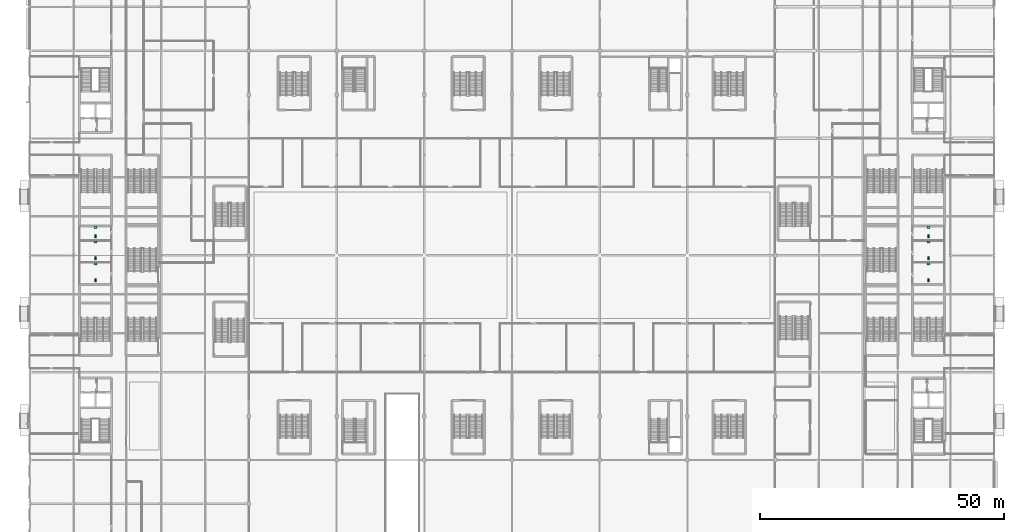
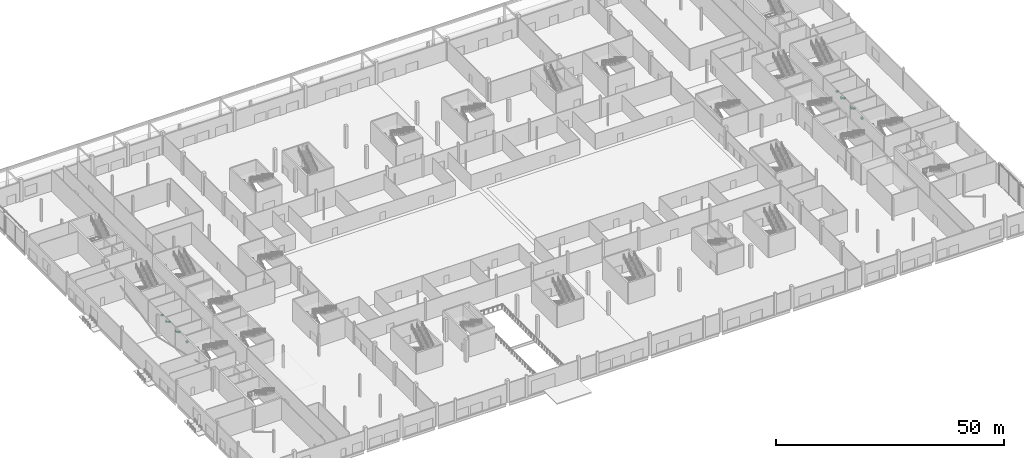
# One storey, part 84 of 84: 12 sanitary terminals.
"""IFC4 building model written with IfcOpenShell, lengths in metres."""

import ifcopenshell
import ifcopenshell.guid

model = None  # the IFC model being written
_history = None  # IfcOwnerHistory: only IFC2X3 demands one
_inside = {}  # id of a spatial element -> (the spatial element, [elements in it])
_under = {}  # id of a project, library or spatial element -> (it, [spatial elements below it])
_declared = {}  # id of a project -> (the project, [libraries it declares])
_typed = {}  # id of a type object -> (the type object, [elements of that type])
_made_of = {}  # id of a material, layer set ... -> (it, [elements and type objects made of it])


def new_model(schema):
    """Start an empty IFC model of exactly this schema.

    Asked for "IFC4X3", IfcOpenShell would pick the latest addendum, in which some entities
    have other attributes; the version numbers below select the first issue.
    IFC2X3 requires an IfcOwnerHistory on every rooted entity: one is made here for all.
    """
    global model, _history
    if schema == "IFC4X3":
        model = ifcopenshell.file(schema_version=(4, 3, 0, 0))
    else:
        model = ifcopenshell.file(schema=schema)
    _inside.clear()
    _under.clear()
    _declared.clear()
    _typed.clear()
    _made_of.clear()
    _history = None
    if model.schema == "IFC2X3":
        org = make("IfcOrganization", Name="unknown")
        user = make(
            "IfcPersonAndOrganization",
            ThePerson=make("IfcPerson", FamilyName="unknown"),
            TheOrganization=org,
        )
        app = make(
            "IfcApplication",
            ApplicationDeveloper=org,
            Version="unknown",
            ApplicationFullName="unknown",
            ApplicationIdentifier="unknown",
        )
        _history = make(
            "IfcOwnerHistory",
            OwningUser=user,
            OwningApplication=app,
            ChangeAction="ADDED",
            CreationDate=0,
        )
    return model


def make(cls, **values):
    """One entity of the class cls with the attributes given. An attribute that is None is left unset."""
    return model.create_entity(
        cls, **{name: value for name, value in values.items() if value is not None}
    )


def rooted(cls, **values):
    """An entity with a GlobalId (a new one), such as an element, a storey or a relation."""
    return make(cls, GlobalId=ifcopenshell.guid.new(), OwnerHistory=_history, **values)


def si_unit(unit_type, name, prefix=None):
    """IfcSIUnit, for example si_unit("LENGTHUNIT", "METRE", prefix="MILLI")."""
    return make("IfcSIUnit", UnitType=unit_type, Prefix=prefix, Name=name)


def assignment(units):
    """IfcUnitAssignment: the units of a project."""
    return None if units is None else make("IfcUnitAssignment", Units=units)


def point(xyz):
    """IfcCartesianPoint."""
    return None if xyz is None else make("IfcCartesianPoint", Coordinates=xyz)


def direction(xyz):
    """IfcDirection."""
    return None if xyz is None else make("IfcDirection", DirectionRatios=xyz)


def frame(location, z_axis=None, x_axis=None):
    """IfcAxis2Placement3D, a coordinate frame: its origin and axes. An axis left out is left unset."""
    return make(
        "IfcAxis2Placement3D",
        Location=point(location),
        Axis=direction(z_axis),
        RefDirection=direction(x_axis),
    )


def frame_2d(location, x_axis=None):
    """IfcAxis2Placement2D, a coordinate frame in the plane: its origin and x axis."""
    return make(
        "IfcAxis2Placement2D", Location=point(location), RefDirection=direction(x_axis)
    )


def origin():
    """The frame at (0, 0, 0) with its axes left unset."""
    return frame((0.0, 0.0, 0.0))


def origin_2d():
    """The frame at (0, 0) in the plane with its x axis left unset."""
    return frame_2d((0.0, 0.0))


def place(relative_to, where):
    """IfcLocalPlacement: puts the frame where relative to a parent placement (None: the world)."""
    return make(
        "IfcLocalPlacement", PlacementRelTo=relative_to, RelativePlacement=where
    )


def context(
    kind, dimensions, precision=None, world=None, true_north=None, identifier=None
):
    """IfcGeometricRepresentationContext, for example the 3D "Model" context."""
    return make(
        "IfcGeometricRepresentationContext",
        ContextIdentifier=identifier,
        ContextType=kind,
        CoordinateSpaceDimension=dimensions,
        Precision=precision,
        WorldCoordinateSystem=world,
        TrueNorth=true_north,
    )


def subcontext(parent, identifier, kind, view, scale=None):
    """IfcGeometricRepresentationSubContext, for example "Body" below "Model"."""
    return make(
        "IfcGeometricRepresentationSubContext",
        ContextIdentifier=identifier,
        ContextType=kind,
        ParentContext=parent,
        TargetScale=scale,
        TargetView=view,
    )


def project(units=None, contexts=None):
    """IfcProject with its units and contexts."""
    return rooted(
        "IfcProject",
        Name="project",
        RepresentationContexts=contexts,
        UnitsInContext=assignment(units),
    )


def spatial(cls, under=None, at=None, **own):
    """A site, building, storey or space (cls), placed at a placement, below another one or the project."""
    s = rooted(cls, ObjectPlacement=at, **own)
    if under is not None:
        _under.setdefault(under.id(), (under, []))[1].append(s)
    return s


def profile(cls, at=None, kind="AREA", **sizes):
    """A parametric profile (cls). Its sizes go by their IFC names, for example OverallWidth=200.0."""
    return make(cls, ProfileType=kind, Position=at, **sizes)


def rectangle(**sizes):
    """IfcRectangleProfileDef."""
    return profile("IfcRectangleProfileDef", **sizes)


def extrude(swept, where, along, depth):
    """IfcExtrudedAreaSolid: the profile swept, set in the frame where, extruded along a direction by depth."""
    return make(
        "IfcExtrudedAreaSolid",
        SweptArea=swept,
        Position=where,
        ExtrudedDirection=direction(along),
        Depth=depth,
    )


def shape(context_of_items, identifier, shape_type, items):
    """IfcShapeRepresentation: the items that make up one representation, for example the "Body"."""
    return make(
        "IfcShapeRepresentation",
        ContextOfItems=context_of_items,
        RepresentationIdentifier=identifier,
        RepresentationType=shape_type,
        Items=items,
    )


def material(Name=None, Category=None):
    """IfcMaterial."""
    return make("IfcMaterial", Name=Name, Category=Category)


def made_of(thing, what):
    """Note that an element or type object is made of a material, layer set ...; save() writes the relation."""
    if what is not None:
        _made_of.setdefault(what.id(), (what, []))[1].append(thing)
    return thing


def type_object(cls, material=None, **own):
    """A type object (cls), such as IfcWallType, which elements share."""
    return made_of(rooted(cls, **own), material)


def element(
    cls,
    number,
    at=None,
    inside=None,
    cuts=None,
    type_object=None,
    material=None,
    context=None,
    identifier="Body",
    shape_type=None,
    held_by="IfcProductDefinitionShape",
    body=None,
    shapes=None,
    **own,
):
    """One element of the class cls, such as IfcWall. Its Tag is "e" and its number.

    at: its placement. inside: the storey or other place that contains it. cuts: it is an
    opening in that element (IfcRelVoidsElement). A single representation is given by context,
    identifier, shape_type and body (its items); several are given by shapes. held_by: the class
    of the entity that holds the representations. save() writes the other relations.
    """
    e = rooted(cls, Tag="e%d" % number, ObjectPlacement=at, **own)
    if body is not None:
        shapes = [shape(context, identifier, shape_type, body)]
    if shapes is not None:
        e.Representation = make(held_by, Representations=shapes)
    if inside is not None:
        _inside.setdefault(inside.id(), (inside, []))[1].append(e)
    if cuts is not None:
        rooted(
            "IfcRelVoidsElement", RelatingBuildingElement=cuts, RelatedOpeningElement=e
        )
    if type_object is not None:
        _typed.setdefault(type_object.id(), (type_object, []))[1].append(e)
    return made_of(e, material)


def aggregate(whole, parts):
    """IfcRelAggregates: a whole, such as a stair, and the parts it consists of."""
    return rooted("IfcRelAggregates", RelatingObject=whole, RelatedObjects=parts)


def save(model, path):
    """Write the relations noted so far, then the file.

    IfcRelAggregates (storeys below a building ...), IfcRelContainedInSpatialStructure (elements
    in a storey), IfcRelDefinesByType, IfcRelAssociatesMaterial and IfcRelDeclares: one each for
    every whole, place, type object, material and project.
    """
    for whole, parts in _under.values():
        aggregate(whole, parts)
    for where, things in _inside.values():
        rooted(
            "IfcRelContainedInSpatialStructure",
            RelatedElements=things,
            RelatingStructure=where,
        )
    for kind, things in _typed.values():
        rooted("IfcRelDefinesByType", RelatedObjects=things, RelatingType=kind)
    for what, things in _made_of.values():
        rooted("IfcRelAssociatesMaterial", RelatedObjects=things, RelatingMaterial=what)
    for by, libraries in _declared.values():
        rooted("IfcRelDeclares", RelatingContext=by, RelatedDefinitions=libraries)
    model.write(path)


model = new_model("IFC4")

# Units and contexts
model_context = context("Model", 3, precision=1e-05, world=origin(), true_north=direction((0.0, 1.0)))
body_context = subcontext(model_context, "Body", "Model", "MODEL_VIEW")
ifc_project = project(units=[si_unit("LENGTHUNIT", "METRE"), si_unit("AREAUNIT", "SQUARE_METRE"), si_unit("VOLUMEUNIT", "CUBIC_METRE"), si_unit("PLANEANGLEUNIT", "RADIAN"), si_unit("MASSUNIT", "GRAM", prefix="KILO")], contexts=[model_context])

# Site, building, storey
site_placement = place(None, origin())
site = spatial("IfcSite", under=ifc_project, at=site_placement, CompositionType="ELEMENT")
building_placement = place(site_placement, origin())
building = spatial("IfcBuilding", under=site, at=building_placement, Name="Kisiwana Market Hall", CompositionType="ELEMENT")
storey_placement = place(building_placement, origin())
storey = spatial("IfcBuildingStorey", under=building, at=storey_placement, Name="L00", CompositionType="ELEMENT", Elevation=0.0)

# Sanitary terminals
ifc_material_1 = material(Name="Vitreous china")
sanitary_terminal_type_1 = type_object("IfcSanitaryTerminalType", Name="SAN-BASIN", PredefinedType="WASHHANDBASIN", material=ifc_material_1)
for number, where, z_axis, x_axis, name in (
    (1, (13.5, 58.25, 0.68017578125), (0.0, 0.0, 1.0), (1.0, 0.0, 0.0), "Washhand basin L00-0007"),
    (2, (13.5, 62.75, 0.68017578125), (0.0, 0.0, 1.0), (1.0, 0.0, 0.0), "Washhand basin L00-0008"),
    (3, (13.5, 65.75, 0.68017578125), (0.0, 0.0, 1.0), (1.0, 0.0, 0.0), "Washhand basin L00-0009"),
    (4, (184.5, 58.25, 0.68017578125), (0.0, 0.0, 1.0), (1.0, 0.0, 0.0), "Washhand basin L00-0010"),
    (5, (184.5, 62.75, 0.68017578125), (0.0, 0.0, 1.0), (1.0, 0.0, 0.0), "Washhand basin L00-0011"),
    (6, (184.5, 65.75, 0.68017578125), (0.0, 0.0, 1.0), (1.0, 0.0, 0.0), "Washhand basin L00-0012"),
):
    element("IfcSanitaryTerminal", number, at=place(storey_placement, frame(where, z_axis=z_axis, x_axis=x_axis)), inside=storey, type_object=sanitary_terminal_type_1, Name=name, PredefinedType="WASHHANDBASIN", context=body_context, shape_type="SweptSolid", body=[
        extrude(rectangle(XDim=0.550048828125, YDim=0.449951171875, at=origin_2d()), origin(), (0.0, 0.0, 1.0), 0.199951171875),
    ])
ifc_material_2 = material(Name="Vitreous china")
sanitary_terminal_type_2 = type_object("IfcSanitaryTerminalType", Name="SAN-WC-PAN", PredefinedType="TOILETPAN", material=ifc_material_2)
for number, where, z_axis, x_axis, name in (
    (7, (13.5, 54.89990234375, 0.0), (0.0, 0.0, 1.0), (1.0, 0.0, 0.0), "WC pan L00-0007"),
    (8, (13.5, 59.39990234375, 0.0), (0.0, 0.0, 1.0), (1.0, 0.0, 0.0), "WC pan L00-0008"),
    (9, (13.5, 63.89990234375, 0.0), (0.0, 0.0, 1.0), (1.0, 0.0, 0.0), "WC pan L00-0009"),
    (10, (184.5, 54.89990234375, 0.0), (0.0, 0.0, 1.0), (1.0, 0.0, 0.0), "WC pan L00-0010"),
    (11, (184.5, 59.39990234375, 0.0), (0.0, 0.0, 1.0), (1.0, 0.0, 0.0), "WC pan L00-0011"),
    (12, (184.5, 63.89990234375, 0.0), (0.0, 0.0, 1.0), (1.0, 0.0, 0.0), "WC pan L00-0012"),
):
    element("IfcSanitaryTerminal", number, at=place(storey_placement, frame(where, z_axis=z_axis, x_axis=x_axis)), inside=storey, type_object=sanitary_terminal_type_2, Name=name, PredefinedType="TOILETPAN", context=body_context, shape_type="SweptSolid", body=[
        extrude(rectangle(XDim=0.39990234375, YDim=0.64990234375, at=origin_2d()), origin(), (0.0, 0.0, 1.0), 0.419921875),
    ])

save(model, "model.ifc")
